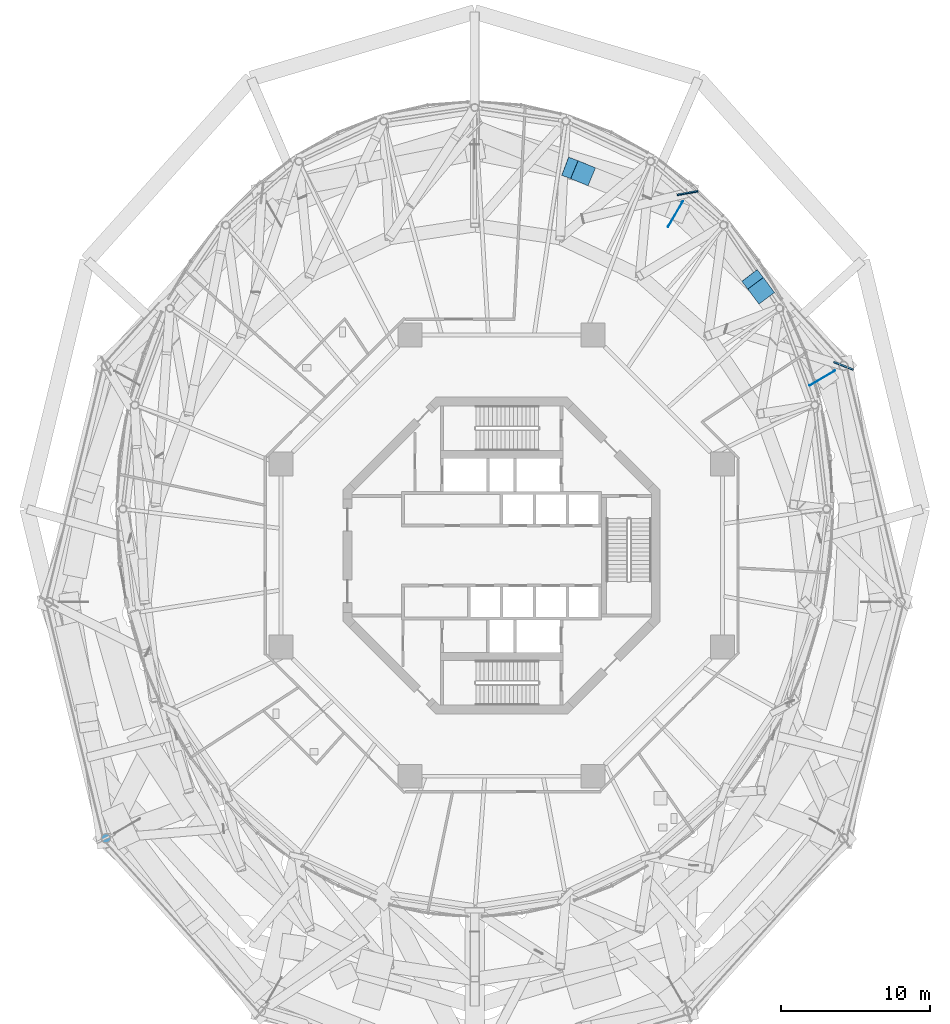
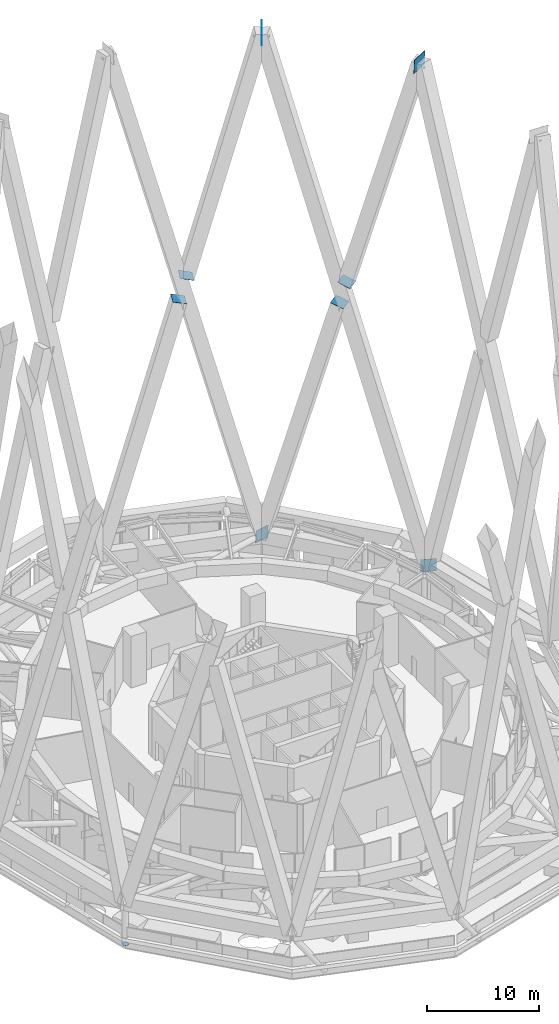
# One storey, part 42 of 48: 9 discrete accessories.
"""IFC4 building model written with IfcOpenShell, lengths in metres."""

from ifc_helpers import new_model, si_unit, direction, frame, origin, origin_2d, place, context, subcontext, project, spatial, rectangle, circle, extrude, material, layer, layer_set, type_object, element, save


model = new_model("IFC4")

# Units and contexts
model_context = context("Model", 3, precision=1e-05, world=origin(), true_north=direction((0.0, 1.0)))
body_context = subcontext(model_context, "Body", "Model", "MODEL_VIEW")
ifc_project = project(units=[si_unit("LENGTHUNIT", "METRE"), si_unit("AREAUNIT", "SQUARE_METRE"), si_unit("VOLUMEUNIT", "CUBIC_METRE"), si_unit("PLANEANGLEUNIT", "RADIAN"), si_unit("MASSUNIT", "GRAM", prefix="KILO")], contexts=[model_context])

# Site, building, storey
site_placement = place(None, origin())
site = spatial("IfcSite", under=ifc_project, at=site_placement, CompositionType="ELEMENT")
building_placement = place(site_placement, origin())
building = spatial("IfcBuilding", under=site, at=building_placement, Name="Nagisa Residences", CompositionType="ELEMENT")
storey_placement = place(building_placement, frame((0.0, 0.0, 252.89990234375)))
storey = spatial("IfcBuildingStorey", under=building, at=storey_placement, Name="L64", CompositionType="ELEMENT", Elevation=252.89990234375)

# Discrete accessories
ifc_material_1 = material(Name="Steel ASTM A572 Gr 50", Category="steel")
ifc_layer_1 = layer(ifc_material_1, 0.030029296875)
ifc_layer_set_1 = layer_set([ifc_layer_1], Name="End plate")
discrete_accessory_type_1 = type_object("IfcDiscreteAccessoryType", Name="End plate", PredefinedType="ANCHORPLATE", material=ifc_layer_set_1)
discrete_accessory_1_placement = place(storey_placement, frame((-26.4990234375, -18.937744140625, -0.889892578125), z_axis=(0.0, 0.0, -1.0), x_axis=(1.0, 0.0, 0.0)))
element("IfcDiscreteAccessory", 1, at=discrete_accessory_1_placement, inside=storey, type_object=discrete_accessory_type_1, Name="End plate DH505", PredefinedType="ANCHORPLATE", context=body_context, shape_type="SweptSolid", body=[
    extrude(circle(Radius=0.304931640625, at=origin_2d()), origin(), (0.0, 0.0, 1.0), 0.030029296875),
])
ifc_material_2 = material(Name="Steel ASTM A572 Gr 50", Category="steel")
ifc_layer_2 = layer(ifc_material_2, 0.030029296875)
ifc_layer_set_2 = layer_set([ifc_layer_2], Name="Node plate")
discrete_accessory_type_2 = type_object("IfcDiscreteAccessoryType", Name="Node plate", PredefinedType="ANCHORPLATE", material=ifc_layer_set_2)
for number, where, z_axis, x_axis, name in (
    (2, (22.904541015625, 12.71630859375, 3.701171875), (-0.366180556882, -0.927657410768, -0.073236111376), (-0.930276706794, 0.366825539484, 0.004926700506), "Node plate ST6B02"),
    (3, (12.462646484375, 24.2685546875, 3.698974609375), (-0.178408354543, 0.981245949985, 0.072985235949), (-0.983800343983, -0.17921021966, 0.004536556807), "Node plate ST6B03"),
):
    element("IfcDiscreteAccessory", number, at=place(storey_placement, frame(where, z_axis=z_axis, x_axis=x_axis)), inside=storey, type_object=discrete_accessory_type_2, Name=name, PredefinedType="ANCHORPLATE", context=body_context, shape_type="SweptSolid", body=[
        extrude(rectangle(XDim=1.419921875, YDim=1.419921875, at=origin_2d()), origin(), (0.0, 0.0, 1.0), 0.030029296875),
    ])
discrete_accessory_2_placement = place(storey_placement, frame((21.486328125, 11.869384765625, 59.300048828125), z_axis=(-0.504883315038, 0.863187603129, 0.0), x_axis=(-0.049599214601, -0.02901086137, -0.998347779)))
element("IfcDiscreteAccessory", 4, at=discrete_accessory_2_placement, inside=storey, type_object=discrete_accessory_type_2, Name="Node plate CD6001", PredefinedType="ANCHORPLATE", context=body_context, shape_type="SweptSolid", body=[
    extrude(rectangle(XDim=1.447509765625, YDim=1.899169921875, at=origin_2d()), origin(), (0.0, 0.0, 1.0), 0.030029296875),
])
discrete_accessory_3_placement = place(storey_placement, frame((11.653076171875, 22.85546875, 59.300048828125), z_axis=(-0.865241683045, 0.501354993914, 0.0), x_axis=(-0.030681116983, -0.052949669633, -0.998125744356)))
element("IfcDiscreteAccessory", 5, at=discrete_accessory_3_placement, inside=storey, type_object=discrete_accessory_type_2, Name="Node plate CD6003", PredefinedType="ANCHORPLATE", context=body_context, shape_type="SweptSolid", body=[
    extrude(rectangle(XDim=1.449462890625, YDim=1.899169921875, at=origin_2d()), origin(), (0.0, 0.0, 1.0), 0.0302734375),
])
discrete_accessory_4_placement = place(storey_placement, frame((16.98193359375, 18.264404296875, 30.949951171875), z_axis=(0.163299316186, -0.212289111041, 0.963465965495), x_axis=(0.792623989105, 0.60971076085, 0.0)))
element("IfcDiscreteAccessory", 6, at=discrete_accessory_4_placement, inside=storey, type_object=discrete_accessory_type_2, Name="Node plate CD6004A", PredefinedType="ANCHORPLATE", context=body_context, shape_type="SweptSolid", body=[
    extrude(rectangle(XDim=1.300048828125, YDim=1.300048828125, at=origin_2d()), origin(), (0.0, 0.0, 1.0), 0.02978515625),
])
for number, where, z_axis, x_axis, name in (
    (7, (17.3837890625, 17.7294921875, 33.370849609375), (-0.163011582996, 0.220065637044, -0.961768339675), (-0.803557193345, -0.595227550626, 0.0), "Node plate CD6004B"),
    (8, (4.840087890625, 25.852783203125, 30.926513671875), (0.235819124035, -0.089448633255, 0.967671577938), (0.354654234121, 0.934997526318, 0.0), "Node plate CD6006A"),
    (9, (5.458251953125, 25.604248046875, 33.4609375), (-0.235640004119, 0.097506208601, -0.966936568624), (-0.382351792726, -0.924016832422, 0.0), "Node plate CD6006B"),
):
    element("IfcDiscreteAccessory", number, at=place(storey_placement, frame(where, z_axis=z_axis, x_axis=x_axis)), inside=storey, type_object=discrete_accessory_type_2, Name=name, PredefinedType="ANCHORPLATE", context=body_context, shape_type="SweptSolid", body=[
        extrude(rectangle(XDim=1.300048828125, YDim=1.300048828125, at=origin_2d()), origin(), (0.0, 0.0, 1.0), 0.030029296875),
    ])

save(model, "model.ifc")
